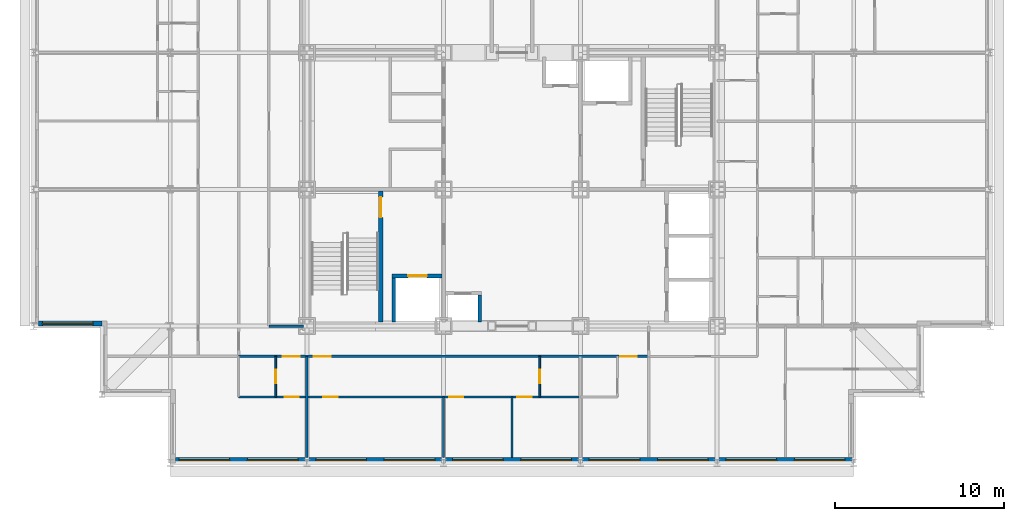
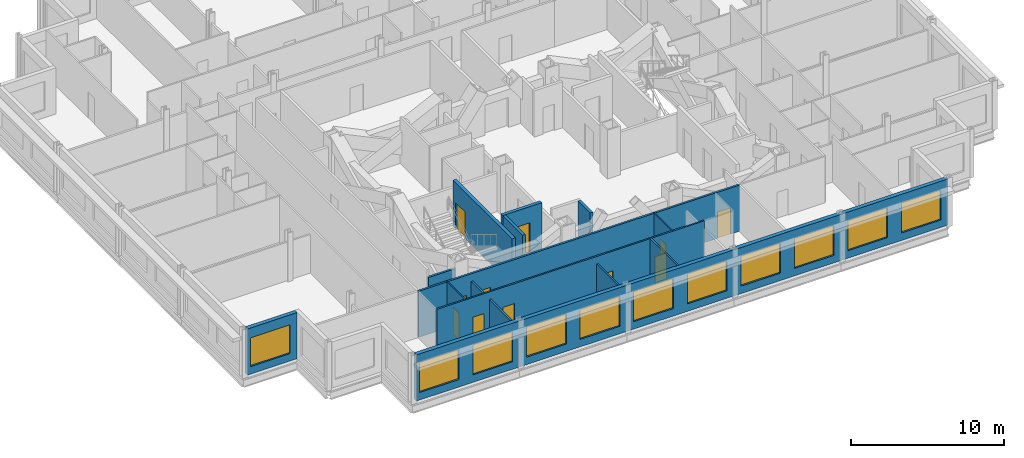
# One storey, part 7 of 15: 14 walls, 11 doors, 11 windows, 22 openings.
"""IFC4 building model written with IfcOpenShell, lengths in metres."""

import ifcopenshell
import ifcopenshell.guid

model = None  # the IFC model being written
_history = None  # IfcOwnerHistory: only IFC2X3 demands one
_inside = {}  # id of a spatial element -> (the spatial element, [elements in it])
_under = {}  # id of a project, library or spatial element -> (it, [spatial elements below it])
_declared = {}  # id of a project -> (the project, [libraries it declares])
_typed = {}  # id of a type object -> (the type object, [elements of that type])
_made_of = {}  # id of a material, layer set ... -> (it, [elements and type objects made of it])


def new_model(schema):
    """Start an empty IFC model of exactly this schema.

    Asked for "IFC4X3", IfcOpenShell would pick the latest addendum, in which some entities
    have other attributes; the version numbers below select the first issue.
    IFC2X3 requires an IfcOwnerHistory on every rooted entity: one is made here for all.
    """
    global model, _history
    if schema == "IFC4X3":
        model = ifcopenshell.file(schema_version=(4, 3, 0, 0))
    else:
        model = ifcopenshell.file(schema=schema)
    _inside.clear()
    _under.clear()
    _declared.clear()
    _typed.clear()
    _made_of.clear()
    _history = None
    if model.schema == "IFC2X3":
        org = make("IfcOrganization", Name="unknown")
        user = make(
            "IfcPersonAndOrganization",
            ThePerson=make("IfcPerson", FamilyName="unknown"),
            TheOrganization=org,
        )
        app = make(
            "IfcApplication",
            ApplicationDeveloper=org,
            Version="unknown",
            ApplicationFullName="unknown",
            ApplicationIdentifier="unknown",
        )
        _history = make(
            "IfcOwnerHistory",
            OwningUser=user,
            OwningApplication=app,
            ChangeAction="ADDED",
            CreationDate=0,
        )
    return model


def make(cls, **values):
    """One entity of the class cls with the attributes given. An attribute that is None is left unset."""
    return model.create_entity(
        cls, **{name: value for name, value in values.items() if value is not None}
    )


def rooted(cls, **values):
    """An entity with a GlobalId (a new one), such as an element, a storey or a relation."""
    return make(cls, GlobalId=ifcopenshell.guid.new(), OwnerHistory=_history, **values)


def si_unit(unit_type, name, prefix=None):
    """IfcSIUnit, for example si_unit("LENGTHUNIT", "METRE", prefix="MILLI")."""
    return make("IfcSIUnit", UnitType=unit_type, Prefix=prefix, Name=name)


def assignment(units):
    """IfcUnitAssignment: the units of a project."""
    return None if units is None else make("IfcUnitAssignment", Units=units)


def point(xyz):
    """IfcCartesianPoint."""
    return None if xyz is None else make("IfcCartesianPoint", Coordinates=xyz)


def direction(xyz):
    """IfcDirection."""
    return None if xyz is None else make("IfcDirection", DirectionRatios=xyz)


def frame(location, z_axis=None, x_axis=None):
    """IfcAxis2Placement3D, a coordinate frame: its origin and axes. An axis left out is left unset."""
    return make(
        "IfcAxis2Placement3D",
        Location=point(location),
        Axis=direction(z_axis),
        RefDirection=direction(x_axis),
    )


def frame_2d(location, x_axis=None):
    """IfcAxis2Placement2D, a coordinate frame in the plane: its origin and x axis."""
    return make(
        "IfcAxis2Placement2D", Location=point(location), RefDirection=direction(x_axis)
    )


def origin():
    """The frame at (0, 0, 0) with its axes left unset."""
    return frame((0.0, 0.0, 0.0))


def place(relative_to, where):
    """IfcLocalPlacement: puts the frame where relative to a parent placement (None: the world)."""
    return make(
        "IfcLocalPlacement", PlacementRelTo=relative_to, RelativePlacement=where
    )


def context(
    kind, dimensions, precision=None, world=None, true_north=None, identifier=None
):
    """IfcGeometricRepresentationContext, for example the 3D "Model" context."""
    return make(
        "IfcGeometricRepresentationContext",
        ContextIdentifier=identifier,
        ContextType=kind,
        CoordinateSpaceDimension=dimensions,
        Precision=precision,
        WorldCoordinateSystem=world,
        TrueNorth=true_north,
    )


def subcontext(parent, identifier, kind, view, scale=None):
    """IfcGeometricRepresentationSubContext, for example "Body" below "Model"."""
    return make(
        "IfcGeometricRepresentationSubContext",
        ContextIdentifier=identifier,
        ContextType=kind,
        ParentContext=parent,
        TargetScale=scale,
        TargetView=view,
    )


def project(units=None, contexts=None):
    """IfcProject with its units and contexts."""
    return rooted(
        "IfcProject",
        Name="project",
        RepresentationContexts=contexts,
        UnitsInContext=assignment(units),
    )


def spatial(cls, under=None, at=None, **own):
    """A site, building, storey or space (cls), placed at a placement, below another one or the project."""
    s = rooted(cls, ObjectPlacement=at, **own)
    if under is not None:
        _under.setdefault(under.id(), (under, []))[1].append(s)
    return s


def profile(cls, at=None, kind="AREA", **sizes):
    """A parametric profile (cls). Its sizes go by their IFC names, for example OverallWidth=200.0."""
    return make(cls, ProfileType=kind, Position=at, **sizes)


def rectangle(**sizes):
    """IfcRectangleProfileDef."""
    return profile("IfcRectangleProfileDef", **sizes)


def extrude(swept, where, along, depth):
    """IfcExtrudedAreaSolid: the profile swept, set in the frame where, extruded along a direction by depth."""
    return make(
        "IfcExtrudedAreaSolid",
        SweptArea=swept,
        Position=where,
        ExtrudedDirection=direction(along),
        Depth=depth,
    )


def shape(context_of_items, identifier, shape_type, items):
    """IfcShapeRepresentation: the items that make up one representation, for example the "Body"."""
    return make(
        "IfcShapeRepresentation",
        ContextOfItems=context_of_items,
        RepresentationIdentifier=identifier,
        RepresentationType=shape_type,
        Items=items,
    )


def material(Name=None, Category=None):
    """IfcMaterial."""
    return make("IfcMaterial", Name=Name, Category=Category)


def layer(
    of_material, thickness, ventilated=None, Name=None, Category=None, Priority=None
):
    """IfcMaterialLayer: one layer of a wall or slab, of a material (None: an air gap)."""
    return make(
        "IfcMaterialLayer",
        Material=of_material,
        LayerThickness=thickness,
        IsVentilated=ventilated,
        Name=Name,
        Category=Category,
        Priority=Priority,
    )


def layer_set(layers, Name=None):
    """IfcMaterialLayerSet."""
    return make("IfcMaterialLayerSet", MaterialLayers=layers, LayerSetName=Name)


def made_of(thing, what):
    """Note that an element or type object is made of a material, layer set ...; save() writes the relation."""
    if what is not None:
        _made_of.setdefault(what.id(), (what, []))[1].append(thing)
    return thing


def type_object(cls, material=None, **own):
    """A type object (cls), such as IfcWallType, which elements share."""
    return made_of(rooted(cls, **own), material)


def element(
    cls,
    number,
    at=None,
    inside=None,
    cuts=None,
    type_object=None,
    material=None,
    context=None,
    identifier="Body",
    shape_type=None,
    held_by="IfcProductDefinitionShape",
    body=None,
    shapes=None,
    **own,
):
    """One element of the class cls, such as IfcWall. Its Tag is "e" and its number.

    at: its placement. inside: the storey or other place that contains it. cuts: it is an
    opening in that element (IfcRelVoidsElement). A single representation is given by context,
    identifier, shape_type and body (its items); several are given by shapes. held_by: the class
    of the entity that holds the representations. save() writes the other relations.
    """
    e = rooted(cls, Tag="e%d" % number, ObjectPlacement=at, **own)
    if body is not None:
        shapes = [shape(context, identifier, shape_type, body)]
    if shapes is not None:
        e.Representation = make(held_by, Representations=shapes)
    if inside is not None:
        _inside.setdefault(inside.id(), (inside, []))[1].append(e)
    if cuts is not None:
        rooted(
            "IfcRelVoidsElement", RelatingBuildingElement=cuts, RelatedOpeningElement=e
        )
    if type_object is not None:
        _typed.setdefault(type_object.id(), (type_object, []))[1].append(e)
    return made_of(e, material)


def fill(opening, filler):
    """IfcRelFillsElement: the door or window that sits in an opening."""
    return rooted(
        "IfcRelFillsElement",
        RelatingOpeningElement=opening,
        RelatedBuildingElement=filler,
    )


def aggregate(whole, parts):
    """IfcRelAggregates: a whole, such as a stair, and the parts it consists of."""
    return rooted("IfcRelAggregates", RelatingObject=whole, RelatedObjects=parts)


def save(model, path):
    """Write the relations noted so far, then the file.

    IfcRelAggregates (storeys below a building ...), IfcRelContainedInSpatialStructure (elements
    in a storey), IfcRelDefinesByType, IfcRelAssociatesMaterial and IfcRelDeclares: one each for
    every whole, place, type object, material and project.
    """
    for whole, parts in _under.values():
        aggregate(whole, parts)
    for where, things in _inside.values():
        rooted(
            "IfcRelContainedInSpatialStructure",
            RelatedElements=things,
            RelatingStructure=where,
        )
    for kind, things in _typed.values():
        rooted("IfcRelDefinesByType", RelatedObjects=things, RelatingType=kind)
    for what, things in _made_of.values():
        rooted("IfcRelAssociatesMaterial", RelatedObjects=things, RelatingMaterial=what)
    for by, libraries in _declared.values():
        rooted("IfcRelDeclares", RelatingContext=by, RelatedDefinitions=libraries)
    model.write(path)


model = new_model("IFC4")

# Units and contexts
model_context = context("Model", 3, precision=1e-05, world=origin(), true_north=direction((0.0, 1.0)))
body_context = subcontext(model_context, "Body", "Model", "MODEL_VIEW")
ifc_project = project(units=[si_unit("LENGTHUNIT", "METRE"), si_unit("AREAUNIT", "SQUARE_METRE"), si_unit("VOLUMEUNIT", "CUBIC_METRE"), si_unit("PLANEANGLEUNIT", "RADIAN"), si_unit("MASSUNIT", "GRAM", prefix="KILO")], contexts=[model_context])

# Site, building, storey
site_placement = place(None, origin())
site = spatial("IfcSite", under=ifc_project, at=site_placement, CompositionType="ELEMENT")
building_placement = place(site_placement, origin())
building = spatial("IfcBuilding", under=site, at=building_placement, Name="Kopane Lantern Tower", CompositionType="ELEMENT")
storey_placement = place(building_placement, frame((0.0, 0.0, 281.39990234375)))
storey = spatial("IfcBuildingStorey", under=building, at=storey_placement, Name="L72", CompositionType="ELEMENT", Elevation=281.39990234375)

# Walls
ifc_material_1 = material(Name="Gypsum board on steel studs", Category="steel")
ifc_layer_1 = layer(ifc_material_1, 0.1201171875)
ifc_layer_set_1 = layer_set([ifc_layer_1], Name="APARTMENT INTERNAL WALL 120")
wall_type_1 = type_object("IfcWallType", Name="APARTMENT INTERNAL WALL 120", PredefinedType="PARTITIONING", material=ifc_layer_set_1)
wall_1_placement = place(storey_placement, frame((24.300048828125, 20.10009765625, 0.0), z_axis=(0.0, 0.0, 1.0), x_axis=(0.0, -1.0, 0.0)))
element("IfcWall", 1, at=wall_1_placement, inside=storey, type_object=wall_type_1, Name="Apartment Internal Wall 120 L72", PredefinedType="PARTITIONING", context=body_context, shape_type="SweptSolid", body=[
    extrude(rectangle(XDim=3.60009765625, YDim=0.1201171875, at=frame_2d((1.800048828125, 0.0))), origin(), (0.0, 0.0, 1.0), 3.077880859375),
])
wall_2_placement = place(storey_placement, frame((28.35009765625, 20.10009765625, 0.0), z_axis=(0.0, 0.0, 1.0), x_axis=(0.0, -1.0, 0.0)))
element("IfcWall", 2, at=wall_2_placement, inside=storey, type_object=wall_type_1, Name="Apartment Internal Wall 120 L72", PredefinedType="PARTITIONING", context=body_context, shape_type="SweptSolid", body=[
    extrude(rectangle(XDim=3.60009765625, YDim=0.1201171875, at=frame_2d((1.800048828125, 0.0))), origin(), (0.0, 0.0, 1.0), 3.690185546875),
])

# Wall, openings, doors
wall_3_placement = place(storey_placement, frame((12.14990234375, 20.10009765625, 0.0), z_axis=(0.0, 0.0, 1.0), x_axis=(1.0, 0.0, 0.0)))
wall_3 = element("IfcWall", 3, at=wall_3_placement, inside=storey, type_object=wall_type_1, Name="Apartment Internal Wall 120 L72", PredefinedType="PARTITIONING", context=body_context, shape_type="SweptSolid", body=[
    extrude(rectangle(XDim=20.25, YDim=0.1201171875, at=frame_2d((10.125, 0.0))), origin(), (0.0, 0.0, 1.0), 3.690185546875),
])
opening_1_placement = place(wall_3_placement, frame((5.02490234375, 0.0, 0.0)))
opening_1 = element("IfcOpeningElement", 4, at=opening_1_placement, cuts=wall_3, Name="Opening L72-008", PredefinedType="OPENING", context=body_context, shape_type="SweptSolid", body=[
    extrude(rectangle(XDim=0.85009765625, YDim=2.10009765625, at=frame_2d((0.425048828125, 1.050048828125))), frame((0.0, 0.070068359375, 0.0), z_axis=(0.0, -1.0, 0.0), x_axis=(1.0, 0.0, 0.0)), (0.0, 0.0, 1.0), 0.14013671875),
])
opening_2_placement = place(wall_3_placement, frame((12.47509765625, 0.0, 0.0)))
opening_2 = element("IfcOpeningElement", 5, at=opening_2_placement, cuts=wall_3, Name="Opening L72-009", PredefinedType="OPENING", context=body_context, shape_type="SweptSolid", body=[
    extrude(rectangle(XDim=0.85009765625, YDim=2.10009765625, at=frame_2d((0.425048828125, 1.050048828125))), frame((0.0, 0.070068359375, 0.0), z_axis=(0.0, -1.0, 0.0), x_axis=(1.0, 0.0, 0.0)), (0.0, 0.0, 1.0), 0.14013671875),
])
opening_3_placement = place(wall_3_placement, frame((16.52490234375, 0.0, 0.0)))
opening_3 = element("IfcOpeningElement", 6, at=opening_3_placement, cuts=wall_3, Name="Opening L72-010", PredefinedType="OPENING", context=body_context, shape_type="SweptSolid", body=[
    extrude(rectangle(XDim=0.85009765625, YDim=2.10009765625, at=frame_2d((0.425048828125, 1.050048828125))), frame((0.0, 0.070068359375, 0.0), z_axis=(0.0, -1.0, 0.0), x_axis=(1.0, 0.0, 0.0)), (0.0, 0.0, 1.0), 0.14013671875),
])
opening_4_placement = place(wall_3_placement, frame((2.72509765625, 0.0, 0.0)))
opening_4 = element("IfcOpeningElement", 7, at=opening_4_placement, cuts=wall_3, Name="Opening L72-032", PredefinedType="OPENING", context=body_context, shape_type="SweptSolid", body=[
    extrude(rectangle(XDim=0.85009765625, YDim=2.10009765625, at=frame_2d((0.425048828125, 1.050048828125))), frame((0.0, 0.070068359375, 0.0), z_axis=(0.0, -1.0, 0.0), x_axis=(1.0, 0.0, 0.0)), (0.0, 0.0, 1.0), 0.14013671875),
])
ifc_material_2 = material(Name="Timber door set", Category="wood")
door_type_1 = type_object("IfcDoorType", Name="DOOR D4 850x2100", OperationType="SINGLE_SWING_LEFT", PredefinedType="DOOR", material=ifc_material_2)
door_1_placement = place(opening_1_placement, origin())
door_1 = element("IfcDoor", 8, at=door_1_placement, inside=storey, type_object=door_type_1, Name="Door L72-008", OperationType="SINGLE_SWING_LEFT", OverallHeight=2.10009765625, OverallWidth=0.85009765625, PredefinedType="DOOR", context=body_context, shape_type="SweptSolid", body=[
    extrude(rectangle(XDim=0.85009765625, YDim=2.10009765625, at=frame_2d((0.425048828125, 1.050048828125))), frame((0.0, 0.02490234375, 0.0), z_axis=(0.0, -1.0, 0.0), x_axis=(1.0, 0.0, 0.0)), (0.0, 0.0, 1.0), 0.050048828125),
])
fill(opening_1, door_1)
door_2_placement = place(opening_2_placement, origin())
door_2 = element("IfcDoor", 9, at=door_2_placement, inside=storey, type_object=door_type_1, Name="Door L72-009", OperationType="SINGLE_SWING_RIGHT", OverallHeight=2.10009765625, OverallWidth=0.85009765625, PredefinedType="DOOR", context=body_context, shape_type="SweptSolid", body=[
    extrude(rectangle(XDim=0.85009765625, YDim=2.10009765625, at=frame_2d((0.425048828125, 1.050048828125))), frame((0.0, 0.02490234375, 0.0), z_axis=(0.0, -1.0, 0.0), x_axis=(1.0, 0.0, 0.0)), (0.0, 0.0, 1.0), 0.050048828125),
])
fill(opening_2, door_2)
door_3_placement = place(opening_3_placement, origin())
door_3 = element("IfcDoor", 10, at=door_3_placement, inside=storey, type_object=door_type_1, Name="Door L72-010", OperationType="SINGLE_SWING_RIGHT", OverallHeight=2.10009765625, OverallWidth=0.85009765625, PredefinedType="DOOR", context=body_context, shape_type="SweptSolid", body=[
    extrude(rectangle(XDim=0.85009765625, YDim=2.10009765625, at=frame_2d((0.425048828125, 1.050048828125))), frame((0.0, 0.02490234375, 0.0), z_axis=(0.0, -1.0, 0.0), x_axis=(1.0, 0.0, 0.0)), (0.0, 0.0, 1.0), 0.050048828125),
])
fill(opening_3, door_3)
door_4_placement = place(opening_4_placement, origin())
door_4 = element("IfcDoor", 11, at=door_4_placement, inside=storey, type_object=door_type_1, Name="Door L72-032", OperationType="SINGLE_SWING_LEFT", OverallHeight=2.10009765625, OverallWidth=0.85009765625, PredefinedType="DOOR", context=body_context, shape_type="SweptSolid", body=[
    extrude(rectangle(XDim=0.85009765625, YDim=2.10009765625, at=frame_2d((0.425048828125, 1.050048828125))), frame((0.0, 0.02490234375, 0.0), z_axis=(0.0, -1.0, 0.0), x_axis=(1.0, 0.0, 0.0)), (0.0, 0.0, 1.0), 0.050048828125),
])
fill(opening_4, door_4)

# Wall, opening, door
ifc_material_3 = material(Name="Moisture-resistant board on steel studs", Category="steel")
ifc_layer_2 = layer(ifc_material_3, 0.10009765625)
ifc_layer_set_2 = layer_set([ifc_layer_2], Name="BATHROOM WALL 100")
wall_type_2 = type_object("IfcWallType", Name="BATHROOM WALL 100", PredefinedType="PARTITIONING", material=ifc_layer_set_2)
wall_4_placement = place(storey_placement, frame((30.0, 22.5, 0.0), z_axis=(0.0, 0.0, 1.0), x_axis=(0.0, -1.0, 0.0)))
wall_4 = element("IfcWall", 12, at=wall_4_placement, inside=storey, type_object=wall_type_2, Name="Bathroom Wall 100 L72", PredefinedType="PARTITIONING", context=body_context, shape_type="SweptSolid", body=[
    extrude(rectangle(XDim=2.39990234375, YDim=0.10009765625, at=frame_2d((1.199951171875, 0.0))), origin(), (0.0, 0.0, 1.0), 3.690185546875),
])
opening_5_placement = place(wall_4_placement, frame((0.800048828125, 0.0, 0.0)))
opening_5 = element("IfcOpeningElement", 13, at=opening_5_placement, cuts=wall_4, Name="Opening L72-006", PredefinedType="OPENING", context=body_context, shape_type="SweptSolid", body=[
    extrude(rectangle(XDim=0.800048828125, YDim=2.10009765625, at=frame_2d((0.39990234375, 1.050048828125))), frame((0.0, 0.06005859375, 0.0), z_axis=(0.0, -1.0, 0.0), x_axis=(1.0, 0.0, 0.0)), (0.0, 0.0, 1.0), 0.1201171875),
])
ifc_material_4 = material(Name="Timber door set", Category="wood")
door_type_2 = type_object("IfcDoorType", Name="DOOR D2 800x2100", OperationType="SINGLE_SWING_LEFT", PredefinedType="DOOR", material=ifc_material_4)
door_5_placement = place(opening_5_placement, origin())
door_5 = element("IfcDoor", 14, at=door_5_placement, inside=storey, type_object=door_type_2, Name="Door L72-006", OperationType="SINGLE_SWING_LEFT", OverallHeight=2.10009765625, OverallWidth=0.800048828125, PredefinedType="DOOR", context=body_context, shape_type="SweptSolid", body=[
    extrude(rectangle(XDim=0.800048828125, YDim=2.10009765625, at=frame_2d((0.39990234375, 1.050048828125))), frame((0.0, 0.02490234375, 0.0), z_axis=(0.0, -1.0, 0.0), x_axis=(1.0, 0.0, 0.0)), (0.0, 0.0, 1.0), 0.050048828125),
])
fill(opening_5, door_5)

wall_5_placement = place(storey_placement, frame((14.35009765625, 22.5, 0.0), z_axis=(0.0, 0.0, 1.0), x_axis=(0.0, -1.0, 0.0)))
wall_5 = element("IfcWall", 15, at=wall_5_placement, inside=storey, type_object=wall_type_2, Name="Bathroom Wall 100 L72", PredefinedType="PARTITIONING", context=body_context, shape_type="SweptSolid", body=[
    extrude(rectangle(XDim=2.39990234375, YDim=0.10009765625, at=frame_2d((1.199951171875, 0.0))), origin(), (0.0, 0.0, 1.0), 3.690185546875),
])
opening_6_placement = place(wall_5_placement, frame((0.800048828125, 0.0, 0.0)))
opening_6 = element("IfcOpeningElement", 16, at=opening_6_placement, cuts=wall_5, Name="Opening L72-030", PredefinedType="OPENING", context=body_context, shape_type="SweptSolid", body=[
    extrude(rectangle(XDim=0.800048828125, YDim=2.10009765625, at=frame_2d((0.39990234375, 1.050048828125))), frame((0.0, 0.06005859375, 0.0), z_axis=(0.0, -1.0, 0.0), x_axis=(1.0, 0.0, 0.0)), (0.0, 0.0, 1.0), 0.1201171875),
])
door_6_placement = place(opening_6_placement, origin())
door_6 = element("IfcDoor", 17, at=door_6_placement, inside=storey, type_object=door_type_2, Name="Door L72-030", OperationType="SINGLE_SWING_RIGHT", OverallHeight=2.10009765625, OverallWidth=0.800048828125, PredefinedType="DOOR", context=body_context, shape_type="SweptSolid", body=[
    extrude(rectangle(XDim=0.800048828125, YDim=2.10009765625, at=frame_2d((0.39990234375, 1.050048828125))), frame((0.0, 0.02490234375, 0.0), z_axis=(0.0, -1.0, 0.0), x_axis=(1.0, 0.0, 0.0)), (0.0, 0.0, 1.0), 0.050048828125),
])
fill(opening_6, door_6)

ifc_material_5 = material(Name="Gypsum shaft wall EI 120", Category="gypsum")
ifc_layer_3 = layer(ifc_material_5, 0.25)
ifc_layer_set_3 = layer_set([ifc_layer_3], Name="CORE SHAFT WALL 250 EI 120")
wall_type_3 = type_object("IfcWallType", Name="CORE SHAFT WALL 250 EI 120", PredefinedType="SOLIDWALL", material=ifc_layer_set_3)
wall_6_placement = place(storey_placement, frame((20.574951171875, 24.550048828125, 0.0), z_axis=(0.0, 0.0, 1.0), x_axis=(0.0, 1.0, 0.0)))
wall_6 = element("IfcWall", 18, at=wall_6_placement, inside=storey, type_object=wall_type_3, Name="Core shaft wall L72 XST1", PredefinedType="SOLIDWALL", context=body_context, shape_type="SweptSolid", body=[
    extrude(rectangle(XDim=7.75, YDim=0.25, at=frame_2d((3.875, 0.0))), origin(), (0.0, 0.0, 1.0), 3.690185546875),
])
opening_7_placement = place(wall_6_placement, frame((6.199951171875, 0.0, 0.0)))
opening_7 = element("IfcOpeningElement", 19, at=opening_7_placement, cuts=wall_6, Name="Opening 72.SD1", PredefinedType="OPENING", context=body_context, shape_type="SweptSolid", body=[
    extrude(rectangle(XDim=1.199951171875, YDim=2.10009765625, at=frame_2d((0.60009765625, 1.050048828125))), frame((0.0, 0.135009765625, 0.0), z_axis=(0.0, -1.0, 0.0), x_axis=(1.0, 0.0, 0.0)), (0.0, 0.0, 1.0), 0.27001953125),
])
ifc_material_6 = material(Name="Steel door set", Category="steel")
door_type_3 = type_object("IfcDoorType", Name="STAIR DOOR 1200x2100 FD60S", OperationType="SINGLE_SWING_LEFT", PredefinedType="DOOR", material=ifc_material_6)
door_7_placement = place(opening_7_placement, origin())
door_7 = element("IfcDoor", 20, at=door_7_placement, inside=storey, type_object=door_type_3, Name="Stair door ST1 L72", OperationType="SINGLE_SWING_LEFT", OverallHeight=2.10009765625, OverallWidth=1.199951171875, PredefinedType="DOOR", context=body_context, shape_type="SweptSolid", body=[
    extrude(rectangle(XDim=1.199951171875, YDim=2.10009765625, at=frame_2d((0.60009765625, 1.050048828125))), frame((0.0, 0.02490234375, 0.0), z_axis=(0.0, -1.0, 0.0), x_axis=(1.0, 0.0, 0.0)), (0.0, 0.0, 1.0), 0.050048828125),
])
fill(opening_7, door_7)

wall_7_placement = place(storey_placement, frame((21.25, 27.27490234375, 0.0), z_axis=(0.0, 0.0, 1.0), x_axis=(1.0, 0.0, 0.0)))
wall_7 = element("IfcWall", 21, at=wall_7_placement, inside=storey, type_object=wall_type_3, Name="Core shaft wall L72 YLF1", PredefinedType="SOLIDWALL", context=body_context, shape_type="SweptSolid", body=[
    extrude(rectangle(XDim=2.949951171875, YDim=0.25, at=frame_2d((1.47509765625, 0.0))), origin(), (0.0, 0.0, 1.0), 3.690185546875),
])
opening_8_placement = place(wall_7_placement, frame((0.949951171875, 0.0, 0.0)))
opening_8 = element("IfcOpeningElement", 22, at=opening_8_placement, cuts=wall_7, Name="Opening 72.LD-LF1", PredefinedType="OPENING", context=body_context, shape_type="SweptSolid", body=[
    extrude(rectangle(XDim=1.10009765625, YDim=2.39990234375, at=frame_2d((0.550048828125, 1.199951171875))), frame((0.0, 0.135009765625, 0.0), z_axis=(0.0, -1.0, 0.0), x_axis=(1.0, 0.0, 0.0)), (0.0, 0.0, 1.0), 0.27001953125),
])
ifc_material_7 = material(Name="Steel door set", Category="steel")
door_type_4 = type_object("IfcDoorType", Name="LIFT LANDING DOOR 1100x2400 FD60", OperationType="DOUBLE_DOOR_SLIDING", PredefinedType="DOOR", material=ifc_material_7)
door_8_placement = place(opening_8_placement, origin())
door_8 = element("IfcDoor", 23, at=door_8_placement, inside=storey, type_object=door_type_4, Name="Landing door LF1 L72", OperationType="DOUBLE_DOOR_SLIDING", OverallHeight=2.39990234375, OverallWidth=1.10009765625, PredefinedType="DOOR", context=body_context, shape_type="SweptSolid", body=[
    extrude(rectangle(XDim=1.10009765625, YDim=2.39990234375, at=frame_2d((0.550048828125, 1.199951171875))), frame((0.0, 0.02490234375, 0.0), z_axis=(0.0, -1.0, 0.0), x_axis=(1.0, 0.0, 0.0)), (0.0, 0.0, 1.0), 0.050048828125),
])
fill(opening_8, door_8)

# Wall, openings, doors
ifc_material_8 = material(Name="Gypsum board on steel studs", Category="steel")
ifc_layer_4 = layer(ifc_material_8, 0.14990234375)
ifc_layer_set_4 = layer_set([ifc_layer_4], Name="CORRIDOR WALL 150 EI 60")
wall_type_4 = type_object("IfcWallType", Name="CORRIDOR WALL 150 EI 60", PredefinedType="PARTITIONING", material=ifc_layer_set_4)
wall_8_placement = place(storey_placement, frame((12.14990234375, 22.5, 0.0), z_axis=(0.0, 0.0, 1.0), x_axis=(1.0, 0.0, 0.0)))
wall_8 = element("IfcWall", 24, at=wall_8_placement, inside=storey, type_object=wall_type_4, Name="Corridor Wall 150 Ei 60 L72", PredefinedType="PARTITIONING", context=body_context, shape_type="SweptSolid", body=[
    extrude(rectangle(XDim=24.300048828125, YDim=0.14990234375, at=frame_2d((12.14990234375, 0.0))), origin(), (0.0, 0.0, 1.0), 3.690185546875),
])
opening_9_placement = place(wall_8_placement, frame((4.449951171875, 0.0, 0.0)))
opening_9 = element("IfcOpeningElement", 25, at=opening_9_placement, cuts=wall_8, Name="Opening L72-007", PredefinedType="OPENING", context=body_context, shape_type="SweptSolid", body=[
    extrude(rectangle(XDim=1.0, YDim=2.10009765625, at=frame_2d((0.5, 1.050048828125))), frame((0.0, 0.0849609375, 0.0), z_axis=(0.0, -1.0, 0.0), x_axis=(1.0, 0.0, 0.0)), (0.0, 0.0, 1.0), 0.169921875),
])
opening_10_placement = place(wall_8_placement, frame((22.60009765625, 0.0, 0.0)))
opening_10 = element("IfcOpeningElement", 26, at=opening_10_placement, cuts=wall_8, Name="Opening L72-012", PredefinedType="OPENING", context=body_context, shape_type="SweptSolid", body=[
    extrude(rectangle(XDim=1.0, YDim=2.10009765625, at=frame_2d((0.5, 1.050048828125))), frame((0.0, 0.0849609375, 0.0), z_axis=(0.0, -1.0, 0.0), x_axis=(1.0, 0.0, 0.0)), (0.0, 0.0, 1.0), 0.169921875),
])
opening_11_placement = place(wall_8_placement, frame((2.625, 0.0, 0.0)))
opening_11 = element("IfcOpeningElement", 27, at=opening_11_placement, cuts=wall_8, Name="Opening L72-031", PredefinedType="OPENING", context=body_context, shape_type="SweptSolid", body=[
    extrude(rectangle(XDim=1.0, YDim=2.10009765625, at=frame_2d((0.5, 1.050048828125))), frame((0.0, 0.0849609375, 0.0), z_axis=(0.0, -1.0, 0.0), x_axis=(1.0, 0.0, 0.0)), (0.0, 0.0, 1.0), 0.169921875),
])
ifc_material_9 = material(Name="Steel door set", Category="steel")
door_type_5 = type_object("IfcDoorType", Name="DOOR D3 1000x2100 FD30S", OperationType="SINGLE_SWING_LEFT", PredefinedType="DOOR", material=ifc_material_9)
door_9_placement = place(opening_9_placement, origin())
door_9 = element("IfcDoor", 28, at=door_9_placement, inside=storey, type_object=door_type_5, Name="Door L72-007", OperationType="SINGLE_SWING_RIGHT", OverallHeight=2.10009765625, OverallWidth=1.0, PredefinedType="DOOR", context=body_context, shape_type="SweptSolid", body=[
    extrude(rectangle(XDim=1.0, YDim=2.10009765625, at=frame_2d((0.5, 1.050048828125))), frame((0.0, 0.02490234375, 0.0), z_axis=(0.0, -1.0, 0.0), x_axis=(1.0, 0.0, 0.0)), (0.0, 0.0, 1.0), 0.050048828125),
])
fill(opening_9, door_9)
door_10_placement = place(opening_10_placement, origin())
door_10 = element("IfcDoor", 29, at=door_10_placement, inside=storey, type_object=door_type_5, Name="Door L72-012", OperationType="SINGLE_SWING_RIGHT", OverallHeight=2.10009765625, OverallWidth=1.0, PredefinedType="DOOR", context=body_context, shape_type="SweptSolid", body=[
    extrude(rectangle(XDim=1.0, YDim=2.10009765625, at=frame_2d((0.5, 1.050048828125))), frame((0.0, 0.02490234375, 0.0), z_axis=(0.0, -1.0, 0.0), x_axis=(1.0, 0.0, 0.0)), (0.0, 0.0, 1.0), 0.050048828125),
])
fill(opening_10, door_10)
door_11_placement = place(opening_11_placement, origin())
door_11 = element("IfcDoor", 30, at=door_11_placement, inside=storey, type_object=door_type_5, Name="Door L72-031", OperationType="SINGLE_SWING_RIGHT", OverallHeight=2.10009765625, OverallWidth=1.0, PredefinedType="DOOR", context=body_context, shape_type="SweptSolid", body=[
    extrude(rectangle(XDim=1.0, YDim=2.10009765625, at=frame_2d((0.5, 1.050048828125))), frame((0.0, 0.02490234375, 0.0), z_axis=(0.0, -1.0, 0.0), x_axis=(1.0, 0.0, 0.0)), (0.0, 0.0, 1.0), 0.050048828125),
])
fill(opening_11, door_11)

# Walls
wall_9_placement = place(storey_placement, frame((16.0, 24.300048828125, 0.0), z_axis=(0.0, 0.0, 1.0), x_axis=(-1.0, 0.0, 0.0)))
element("IfcWall", 31, at=wall_9_placement, inside=storey, type_object=wall_type_4, Name="Corridor Wall 150 Ei 60 L72", PredefinedType="PARTITIONING", context=body_context, shape_type="SweptSolid", body=[
    extrude(rectangle(XDim=2.050048828125, YDim=0.14990234375, at=frame_2d((1.02490234375, 0.0))), origin(), (0.0, 0.0, 1.0), 3.077880859375),
])
ifc_material_10 = material(Name="Gypsum board on steel studs", Category="steel")
ifc_layer_5 = layer(ifc_material_10, 0.14990234375)
ifc_layer_set_5 = layer_set([ifc_layer_5], Name="DEMISING WALL 150 EI 60")
wall_type_5 = type_object("IfcWallType", Name="DEMISING WALL 150 EI 60", PredefinedType="PARTITIONING", material=ifc_layer_set_5)
wall_10_placement = place(storey_placement, frame((16.199951171875, 22.5, 0.0), z_axis=(0.0, 0.0, 1.0), x_axis=(0.0, -1.0, 0.0)))
element("IfcWall", 32, at=wall_10_placement, inside=storey, type_object=wall_type_5, Name="Demising Wall 150 Ei 60 L72", PredefinedType="PARTITIONING", context=body_context, shape_type="SweptSolid", body=[
    extrude(rectangle(XDim=6.0, YDim=0.14990234375, at=frame_2d((3.0, 0.0))), origin(), (0.0, 0.0, 1.0), 3.077880859375),
])

# Wall, openings, windows
ifc_material_11 = material(Name="Terracotta rainscreen on light steel framing", Category="masonry")
ifc_layer_6 = layer(ifc_material_11, 0.300048828125)
ifc_layer_set_6 = layer_set([ifc_layer_6], Name="EXTERNAL WALL EW1 300 TERRACOTTA")
wall_type_6 = type_object("IfcWallType", Name="EXTERNAL WALL EW1 300 TERRACOTTA", PredefinedType="SOLIDWALL", material=ifc_layer_set_6)
wall_11_placement = place(storey_placement, frame((8.39990234375, 16.35009765625, 0.0), z_axis=(0.0, 0.0, 1.0), x_axis=(1.0, 0.0, 0.0)))
wall_11 = element("IfcWall", 33, at=wall_11_placement, inside=storey, type_object=wall_type_6, Name="External wall S L72", PredefinedType="SOLIDWALL", context=body_context, shape_type="SweptSolid", body=[
    extrude(rectangle(XDim=40.2001953125, YDim=0.300048828125, at=frame_2d((20.10009765625, 0.0))), origin(), (0.0, 0.0, 1.0), 3.690185546875),
])
opening_12_placement = place(wall_11_placement, frame((0.22509765625, 0.0, 0.60009765625)))
opening_12 = element("IfcOpeningElement", 34, at=opening_12_placement, cuts=wall_11, Name="Opening WR300240", PredefinedType="OPENING", context=body_context, shape_type="SweptSolid", body=[
    extrude(rectangle(XDim=3.0, YDim=2.39990234375, at=frame_2d((1.5, 1.199951171875))), frame((0.0, 0.159912109375, 0.0), z_axis=(0.0, -1.0, 0.0), x_axis=(1.0, 0.0, 0.0)), (0.0, 0.0, 1.0), 0.320068359375),
])
opening_13_placement = place(wall_11_placement, frame((4.27490234375, 0.0, 0.60009765625)))
opening_13 = element("IfcOpeningElement", 35, at=opening_13_placement, cuts=wall_11, Name="Opening WR300240", PredefinedType="OPENING", context=body_context, shape_type="SweptSolid", body=[
    extrude(rectangle(XDim=3.0, YDim=2.39990234375, at=frame_2d((1.5, 1.199951171875))), frame((0.0, 0.159912109375, 0.0), z_axis=(0.0, -1.0, 0.0), x_axis=(1.0, 0.0, 0.0)), (0.0, 0.0, 1.0), 0.320068359375),
])
opening_14_placement = place(wall_11_placement, frame((8.324951171875, 0.0, 0.60009765625)))
opening_14 = element("IfcOpeningElement", 36, at=opening_14_placement, cuts=wall_11, Name="Opening WR300240", PredefinedType="OPENING", context=body_context, shape_type="SweptSolid", body=[
    extrude(rectangle(XDim=3.0, YDim=2.39990234375, at=frame_2d((1.5, 1.199951171875))), frame((0.0, 0.159912109375, 0.0), z_axis=(0.0, -1.0, 0.0), x_axis=(1.0, 0.0, 0.0)), (0.0, 0.0, 1.0), 0.320068359375),
])
opening_15_placement = place(wall_11_placement, frame((12.375, 0.0, 0.60009765625)))
opening_15 = element("IfcOpeningElement", 37, at=opening_15_placement, cuts=wall_11, Name="Opening WR300240", PredefinedType="OPENING", context=body_context, shape_type="SweptSolid", body=[
    extrude(rectangle(XDim=3.0, YDim=2.39990234375, at=frame_2d((1.5, 1.199951171875))), frame((0.0, 0.159912109375, 0.0), z_axis=(0.0, -1.0, 0.0), x_axis=(1.0, 0.0, 0.0)), (0.0, 0.0, 1.0), 0.320068359375),
])
opening_16_placement = place(wall_11_placement, frame((16.425048828125, 0.0, 0.60009765625)))
opening_16 = element("IfcOpeningElement", 38, at=opening_16_placement, cuts=wall_11, Name="Opening WR300240", PredefinedType="OPENING", context=body_context, shape_type="SweptSolid", body=[
    extrude(rectangle(XDim=3.0, YDim=2.39990234375, at=frame_2d((1.5, 1.199951171875))), frame((0.0, 0.159912109375, 0.0), z_axis=(0.0, -1.0, 0.0), x_axis=(1.0, 0.0, 0.0)), (0.0, 0.0, 1.0), 0.320068359375),
])
opening_17_placement = place(wall_11_placement, frame((20.47509765625, 0.0, 0.60009765625)))
opening_17 = element("IfcOpeningElement", 39, at=opening_17_placement, cuts=wall_11, Name="Opening WR300240", PredefinedType="OPENING", context=body_context, shape_type="SweptSolid", body=[
    extrude(rectangle(XDim=3.0, YDim=2.39990234375, at=frame_2d((1.5, 1.199951171875))), frame((0.0, 0.159912109375, 0.0), z_axis=(0.0, -1.0, 0.0), x_axis=(1.0, 0.0, 0.0)), (0.0, 0.0, 1.0), 0.320068359375),
])
opening_18_placement = place(wall_11_placement, frame((24.52490234375, 0.0, 0.60009765625)))
opening_18 = element("IfcOpeningElement", 40, at=opening_18_placement, cuts=wall_11, Name="Opening WR300240", PredefinedType="OPENING", context=body_context, shape_type="SweptSolid", body=[
    extrude(rectangle(XDim=3.0, YDim=2.39990234375, at=frame_2d((1.5, 1.199951171875))), frame((0.0, 0.159912109375, 0.0), z_axis=(0.0, -1.0, 0.0), x_axis=(1.0, 0.0, 0.0)), (0.0, 0.0, 1.0), 0.320068359375),
])
opening_19_placement = place(wall_11_placement, frame((28.574951171875, 0.0, 0.60009765625)))
opening_19 = element("IfcOpeningElement", 41, at=opening_19_placement, cuts=wall_11, Name="Opening WR300240", PredefinedType="OPENING", context=body_context, shape_type="SweptSolid", body=[
    extrude(rectangle(XDim=3.0, YDim=2.39990234375, at=frame_2d((1.5, 1.199951171875))), frame((0.0, 0.159912109375, 0.0), z_axis=(0.0, -1.0, 0.0), x_axis=(1.0, 0.0, 0.0)), (0.0, 0.0, 1.0), 0.320068359375),
])
opening_20_placement = place(wall_11_placement, frame((32.625, 0.0, 0.60009765625)))
opening_20 = element("IfcOpeningElement", 42, at=opening_20_placement, cuts=wall_11, Name="Opening WR300240", PredefinedType="OPENING", context=body_context, shape_type="SweptSolid", body=[
    extrude(rectangle(XDim=3.0, YDim=2.39990234375, at=frame_2d((1.5, 1.199951171875))), frame((0.0, 0.159912109375, 0.0), z_axis=(0.0, -1.0, 0.0), x_axis=(1.0, 0.0, 0.0)), (0.0, 0.0, 1.0), 0.320068359375),
])
opening_21_placement = place(wall_11_placement, frame((36.675048828125, 0.0, 0.60009765625)))
opening_21 = element("IfcOpeningElement", 43, at=opening_21_placement, cuts=wall_11, Name="Opening WR300240", PredefinedType="OPENING", context=body_context, shape_type="SweptSolid", body=[
    extrude(rectangle(XDim=3.0, YDim=2.39990234375, at=frame_2d((1.5, 1.199951171875))), frame((0.0, 0.159912109375, 0.0), z_axis=(0.0, -1.0, 0.0), x_axis=(1.0, 0.0, 0.0)), (0.0, 0.0, 1.0), 0.320068359375),
])
ifc_material_12 = material(Name="Aluminium and clear glass", Category="aluminium")
window_type_1 = type_object("IfcWindowType", Name="RIBBON WINDOW WR300240 3000x2400", PartitioningType="SINGLE_PANEL", PredefinedType="WINDOW", material=ifc_material_12)
window_1_placement = place(opening_12_placement, origin())
window_1 = element("IfcWindow", 44, at=window_1_placement, inside=storey, type_object=window_type_1, Name="Window S L72", OverallHeight=2.39990234375, OverallWidth=3.0, PartitioningType="SINGLE_PANEL", PredefinedType="WINDOW", context=body_context, shape_type="SweptSolid", body=[
    extrude(rectangle(XDim=3.0, YDim=2.39990234375, at=frame_2d((1.5, 1.199951171875))), frame((0.0, 0.030029296875, 0.0), z_axis=(0.0, -1.0, 0.0), x_axis=(1.0, 0.0, 0.0)), (0.0, 0.0, 1.0), 0.06005859375),
])
fill(opening_12, window_1)
window_2_placement = place(opening_13_placement, origin())
window_2 = element("IfcWindow", 45, at=window_2_placement, inside=storey, type_object=window_type_1, Name="Window S L72", OverallHeight=2.39990234375, OverallWidth=3.0, PartitioningType="SINGLE_PANEL", PredefinedType="WINDOW", context=body_context, shape_type="SweptSolid", body=[
    extrude(rectangle(XDim=3.0, YDim=2.39990234375, at=frame_2d((1.5, 1.199951171875))), frame((0.0, 0.030029296875, 0.0), z_axis=(0.0, -1.0, 0.0), x_axis=(1.0, 0.0, 0.0)), (0.0, 0.0, 1.0), 0.06005859375),
])
fill(opening_13, window_2)
window_3_placement = place(opening_14_placement, origin())
window_3 = element("IfcWindow", 46, at=window_3_placement, inside=storey, type_object=window_type_1, Name="Window S L72", OverallHeight=2.39990234375, OverallWidth=3.0, PartitioningType="SINGLE_PANEL", PredefinedType="WINDOW", context=body_context, shape_type="SweptSolid", body=[
    extrude(rectangle(XDim=3.0, YDim=2.39990234375, at=frame_2d((1.5, 1.199951171875))), frame((0.0, 0.030029296875, 0.0), z_axis=(0.0, -1.0, 0.0), x_axis=(1.0, 0.0, 0.0)), (0.0, 0.0, 1.0), 0.06005859375),
])
fill(opening_14, window_3)
window_4_placement = place(opening_15_placement, origin())
window_4 = element("IfcWindow", 47, at=window_4_placement, inside=storey, type_object=window_type_1, Name="Window S L72", OverallHeight=2.39990234375, OverallWidth=3.0, PartitioningType="SINGLE_PANEL", PredefinedType="WINDOW", context=body_context, shape_type="SweptSolid", body=[
    extrude(rectangle(XDim=3.0, YDim=2.39990234375, at=frame_2d((1.5, 1.199951171875))), frame((0.0, 0.030029296875, 0.0), z_axis=(0.0, -1.0, 0.0), x_axis=(1.0, 0.0, 0.0)), (0.0, 0.0, 1.0), 0.06005859375),
])
fill(opening_15, window_4)
window_5_placement = place(opening_16_placement, origin())
window_5 = element("IfcWindow", 48, at=window_5_placement, inside=storey, type_object=window_type_1, Name="Window S L72", OverallHeight=2.39990234375, OverallWidth=3.0, PartitioningType="SINGLE_PANEL", PredefinedType="WINDOW", context=body_context, shape_type="SweptSolid", body=[
    extrude(rectangle(XDim=3.0, YDim=2.39990234375, at=frame_2d((1.5, 1.199951171875))), frame((0.0, 0.030029296875, 0.0), z_axis=(0.0, -1.0, 0.0), x_axis=(1.0, 0.0, 0.0)), (0.0, 0.0, 1.0), 0.06005859375),
])
fill(opening_16, window_5)
window_6_placement = place(opening_17_placement, origin())
window_6 = element("IfcWindow", 49, at=window_6_placement, inside=storey, type_object=window_type_1, Name="Window S L72", OverallHeight=2.39990234375, OverallWidth=3.0, PartitioningType="SINGLE_PANEL", PredefinedType="WINDOW", context=body_context, shape_type="SweptSolid", body=[
    extrude(rectangle(XDim=3.0, YDim=2.39990234375, at=frame_2d((1.5, 1.199951171875))), frame((0.0, 0.030029296875, 0.0), z_axis=(0.0, -1.0, 0.0), x_axis=(1.0, 0.0, 0.0)), (0.0, 0.0, 1.0), 0.06005859375),
])
fill(opening_17, window_6)
window_7_placement = place(opening_18_placement, origin())
window_7 = element("IfcWindow", 50, at=window_7_placement, inside=storey, type_object=window_type_1, Name="Window S L72", OverallHeight=2.39990234375, OverallWidth=3.0, PartitioningType="SINGLE_PANEL", PredefinedType="WINDOW", context=body_context, shape_type="SweptSolid", body=[
    extrude(rectangle(XDim=3.0, YDim=2.39990234375, at=frame_2d((1.5, 1.199951171875))), frame((0.0, 0.030029296875, 0.0), z_axis=(0.0, -1.0, 0.0), x_axis=(1.0, 0.0, 0.0)), (0.0, 0.0, 1.0), 0.06005859375),
])
fill(opening_18, window_7)
window_8_placement = place(opening_19_placement, origin())
window_8 = element("IfcWindow", 51, at=window_8_placement, inside=storey, type_object=window_type_1, Name="Window S L72", OverallHeight=2.39990234375, OverallWidth=3.0, PartitioningType="SINGLE_PANEL", PredefinedType="WINDOW", context=body_context, shape_type="SweptSolid", body=[
    extrude(rectangle(XDim=3.0, YDim=2.39990234375, at=frame_2d((1.5, 1.199951171875))), frame((0.0, 0.030029296875, 0.0), z_axis=(0.0, -1.0, 0.0), x_axis=(1.0, 0.0, 0.0)), (0.0, 0.0, 1.0), 0.06005859375),
])
fill(opening_19, window_8)
window_9_placement = place(opening_20_placement, origin())
window_9 = element("IfcWindow", 52, at=window_9_placement, inside=storey, type_object=window_type_1, Name="Window S L72", OverallHeight=2.39990234375, OverallWidth=3.0, PartitioningType="SINGLE_PANEL", PredefinedType="WINDOW", context=body_context, shape_type="SweptSolid", body=[
    extrude(rectangle(XDim=3.0, YDim=2.39990234375, at=frame_2d((1.5, 1.199951171875))), frame((0.0, 0.030029296875, 0.0), z_axis=(0.0, -1.0, 0.0), x_axis=(1.0, 0.0, 0.0)), (0.0, 0.0, 1.0), 0.06005859375),
])
fill(opening_20, window_9)
window_10_placement = place(opening_21_placement, origin())
window_10 = element("IfcWindow", 53, at=window_10_placement, inside=storey, type_object=window_type_1, Name="Window S L72", OverallHeight=2.39990234375, OverallWidth=3.0, PartitioningType="SINGLE_PANEL", PredefinedType="WINDOW", context=body_context, shape_type="SweptSolid", body=[
    extrude(rectangle(XDim=3.0, YDim=2.39990234375, at=frame_2d((1.5, 1.199951171875))), frame((0.0, 0.030029296875, 0.0), z_axis=(0.0, -1.0, 0.0), x_axis=(1.0, 0.0, 0.0)), (0.0, 0.0, 1.0), 0.06005859375),
])
fill(opening_21, window_10)

# Wall, opening, window
wall_12_placement = place(storey_placement, frame((0.300048828125, 24.449951171875, 0.0), z_axis=(0.0, 0.0, 1.0), x_axis=(1.0, 0.0, 0.0)))
wall_12 = element("IfcWall", 54, at=wall_12_placement, inside=storey, type_object=wall_type_6, Name="External wall S L72", PredefinedType="SOLIDWALL", context=body_context, shape_type="SweptSolid", body=[
    extrude(rectangle(XDim=3.75, YDim=0.300048828125, at=frame_2d((1.875, 0.0))), origin(), (0.0, 0.0, 1.0), 3.690185546875),
])
opening_22_placement = place(wall_12_placement, frame((0.22509765625, 0.0, 0.60009765625)))
opening_22 = element("IfcOpeningElement", 55, at=opening_22_placement, cuts=wall_12, Name="Opening WR300230", PredefinedType="OPENING", context=body_context, shape_type="SweptSolid", body=[
    extrude(rectangle(XDim=3.0, YDim=2.300048828125, at=frame_2d((1.5, 1.14990234375))), frame((0.0, 0.159912109375, 0.0), z_axis=(0.0, -1.0, 0.0), x_axis=(1.0, 0.0, 0.0)), (0.0, 0.0, 1.0), 0.320068359375),
])
ifc_material_13 = material(Name="Aluminium and clear glass", Category="aluminium")
window_type_2 = type_object("IfcWindowType", Name="RIBBON WINDOW WR300230 3000x2300", PartitioningType="SINGLE_PANEL", PredefinedType="WINDOW", material=ifc_material_13)
window_11_placement = place(opening_22_placement, origin())
window_11 = element("IfcWindow", 56, at=window_11_placement, inside=storey, type_object=window_type_2, Name="Window S L72", OverallHeight=2.300048828125, OverallWidth=3.0, PartitioningType="SINGLE_PANEL", PredefinedType="WINDOW", context=body_context, shape_type="SweptSolid", body=[
    extrude(rectangle(XDim=3.0, YDim=2.300048828125, at=frame_2d((1.5, 1.14990234375))), frame((0.0, 0.030029296875, 0.0), z_axis=(0.0, -1.0, 0.0), x_axis=(1.0, 0.0, 0.0)), (0.0, 0.0, 1.0), 0.06005859375),
])
fill(opening_22, window_11)

# Walls
ifc_material_14 = material(Name="Gypsum shaft wall EI 120", Category="gypsum")
ifc_layer_7 = layer(ifc_material_14, 0.199951171875)
ifc_layer_set_7 = layer_set([ifc_layer_7], Name="SHAFT WALL 200 EI 120")
wall_type_7 = type_object("IfcWallType", Name="SHAFT WALL 200 EI 120", PredefinedType="SOLIDWALL", material=ifc_layer_set_7)
wall_13_placement = place(storey_placement, frame((21.35009765625, 24.550048828125, 0.0), z_axis=(0.0, 0.0, 1.0), x_axis=(0.0, 1.0, 0.0)))
element("IfcWall", 57, at=wall_13_placement, inside=storey, type_object=wall_type_7, Name="Core shaft wall L72 XLF1", PredefinedType="SOLIDWALL", context=body_context, shape_type="SweptSolid", body=[
    extrude(rectangle(XDim=2.599853515625, YDim=0.199951171875, at=frame_2d((1.2998046875, 0.0))), origin(), (0.0, 0.0, 1.0), 3.690185546875),
])
wall_14_placement = place(storey_placement, frame((26.449951171875, 24.550048828125, 0.0), z_axis=(0.0, 0.0, 1.0), x_axis=(0.0, 1.0, 0.0)))
element("IfcWall", 58, at=wall_14_placement, inside=storey, type_object=wall_type_7, Name="Core shaft wall L72 XRS1", PredefinedType="SOLIDWALL", context=body_context, shape_type="SweptSolid", body=[
    extrude(rectangle(XDim=1.599853515625, YDim=0.199951171875, at=frame_2d((0.7998046875, 0.0))), origin(), (0.0, 0.0, 1.0), 3.690185546875),
])

save(model, "model.ifc")
